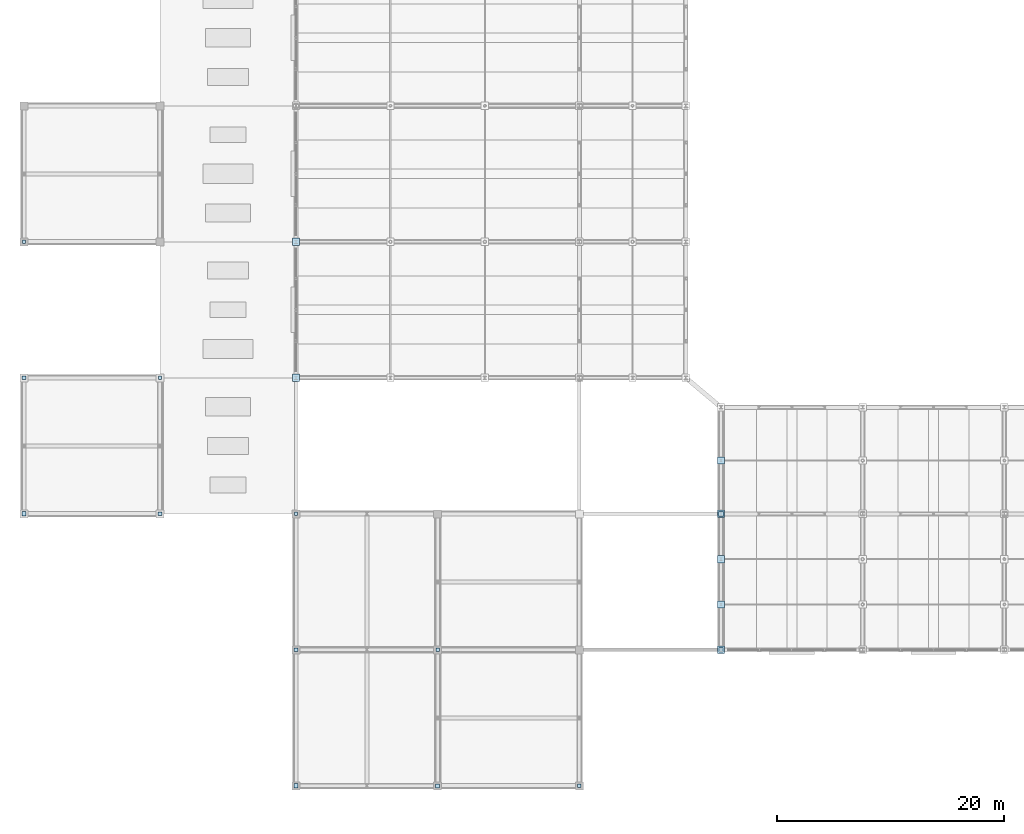
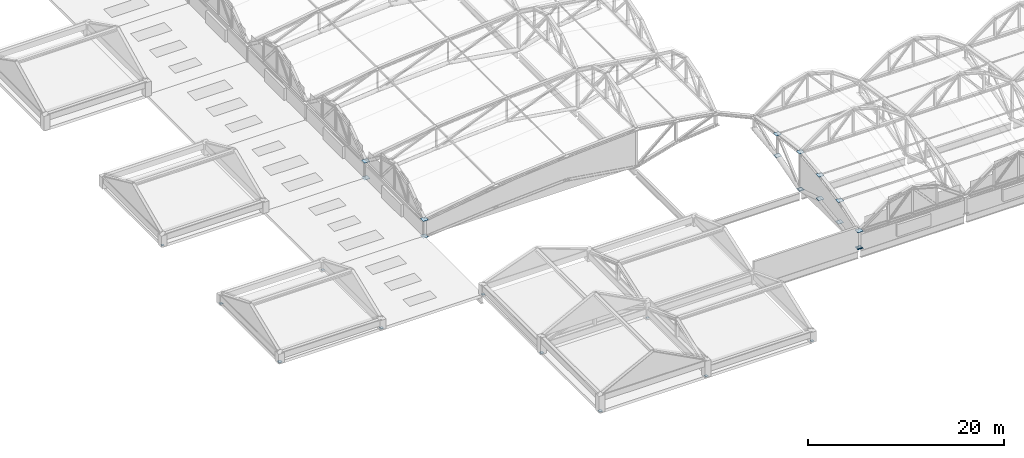
# One storey, part 98 of 117: 27 plates.
"""IFC4 building model written with IfcOpenShell, lengths in metres."""

from ifc_helpers import new_model, si_unit, direction, frame, origin, origin_2d, place, context, subcontext, project, spatial, rectangle, extrude, material, layer, layer_set, type_object, element, save


model = new_model("IFC4")

# Units and contexts
model_context = context("Model", 3, precision=1e-05, world=origin(), true_north=direction((0.0, 1.0)))
body_context = subcontext(model_context, "Body", "Model", "MODEL_VIEW")
ifc_project = project(units=[si_unit("LENGTHUNIT", "METRE"), si_unit("AREAUNIT", "SQUARE_METRE"), si_unit("VOLUMEUNIT", "CUBIC_METRE"), si_unit("PLANEANGLEUNIT", "RADIAN"), si_unit("MASSUNIT", "GRAM", prefix="KILO")], contexts=[model_context])

# Site, building, storey
site_placement = place(None, origin())
site = spatial("IfcSite", under=ifc_project, at=site_placement, CompositionType="ELEMENT")
building_placement = place(site_placement, origin())
building = spatial("IfcBuilding", under=site, at=building_placement, Name="Kazenohara Klinker Stadium", CompositionType="ELEMENT")
storey_placement = place(building_placement, frame((0.0, 0.0, 31.199951171875)))
storey = spatial("IfcBuildingStorey", under=building, at=storey_placement, Name="RF", CompositionType="ELEMENT", Elevation=31.199951171875)

# Plates
ifc_material = material(Name="Steel S355", Category="steel")
ifc_layer_1 = layer(ifc_material, 0.02001953125)
ifc_layer_set_1 = layer_set([ifc_layer_1], Name="Steel S355")
plate_type_1 = type_object("IfcPlateType", Name="PLT-GP01", PredefinedType="USERDEFINED", material=ifc_layer_set_1)
plate_1_placement = place(storey_placement, frame((36.5, 24.0, -0.010009765625), z_axis=(0.0, 0.0, 1.0), x_axis=(1.0, 0.0, 0.0)))
element("IfcPlate", 1, at=plate_1_placement, inside=storey, type_object=plate_type_1, Name="Hollow column end-cap plate GP01 RF 4/C", ObjectType="GUSSET PLATE", PredefinedType="USERDEFINED", context=body_context, shape_type="SweptSolid", body=[
    extrude(rectangle(XDim=0.2900390625, YDim=0.2900390625, at=origin_2d()), origin(), (0.0, 0.0, 1.0), 0.02001953125),
])
plate_2_placement = place(storey_placement, frame((61.5, 24.0, -0.010009765625), z_axis=(0.0, 0.0, 1.0), x_axis=(1.0, 0.0, 0.0)))
element("IfcPlate", 2, at=plate_2_placement, inside=storey, type_object=plate_type_1, Name="Hollow column end-cap plate GP01 RF 6/C", ObjectType="GUSSET PLATE", PredefinedType="USERDEFINED", context=body_context, shape_type="SweptSolid", body=[
    extrude(rectangle(XDim=0.389892578125, YDim=0.389892578125, at=origin_2d()), origin(), (0.0, 0.0, 1.0), 0.02001953125),
])
for number, where, z_axis, x_axis, name in (
    (3, (24.0, 48.0, -0.030029296875), (0.0, 0.0, 1.0), (1.0, 0.0, 0.0), "ROOF TRUSS RT-W01 node gusset plate BN1"),
    (4, (24.0, 48.0, 2.090087890625), (0.0, 0.0, 1.0), (1.0, 0.0, 0.0), "ROOF TRUSS RT-W01 node gusset plate TN1"),
    (5, (61.5, 36.0, -0.030029296875), (0.0, 0.0, 1.0), (1.0, 0.0, 0.0), "ROOF TRUSS RT-S01 node gusset plate BN4"),
    (6, (61.5, 36.0, 4.64013671875), (0.0, 0.0, 1.0), (1.0, 0.0, 0.0), "ROOF TRUSS RT-S01 node gusset plate TN4"),
):
    element("IfcPlate", number, at=place(storey_placement, frame(where, z_axis=z_axis, x_axis=x_axis)), inside=storey, type_object=plate_type_1, Name=name, ObjectType="GUSSET PLATE", PredefinedType="USERDEFINED", context=body_context, shape_type="SweptSolid", body=[
        extrude(rectangle(XDim=0.639892578125, YDim=0.639892578125, at=origin_2d()), origin(), (0.0, 0.0, 1.0), 0.02001953125),
    ])
ifc_layer_2 = layer(ifc_material, 0.02197265625)
ifc_layer_set_2 = layer_set([ifc_layer_2], Name="Steel S355")
plate_type_2 = type_object("IfcPlateType", Name="PLT-GP02", PredefinedType="USERDEFINED", material=ifc_layer_set_2)
for number, where, z_axis, x_axis, name in (
    (7, (0.0, 60.0, -0.010986328125), (0.0, 0.0, 1.0), (1.0, 0.0, 0.0), "Hollow column end-cap plate GP02 RF 1/F"),
    (8, (12.0, 48.0, -0.010986328125), (0.0, 0.0, 1.0), (1.0, 0.0, 0.0), "Hollow column end-cap plate GP02 RF 2/E"),
    (9, (24.0, 36.0, -0.010986328125), (0.0, 0.0, 1.0), (1.0, 0.0, 0.0), "Hollow column end-cap plate GP02 RF 3/D"),
):
    element("IfcPlate", number, at=place(storey_placement, frame(where, z_axis=z_axis, x_axis=x_axis)), inside=storey, type_object=plate_type_2, Name=name, ObjectType="GUSSET PLATE", PredefinedType="USERDEFINED", context=body_context, shape_type="SweptSolid", body=[
        extrude(rectangle(XDim=0.2900390625, YDim=0.2900390625, at=origin_2d()), origin(), (0.0, 0.0, 1.0), 0.02197265625),
    ])
plate_3_placement = place(storey_placement, frame((36.5, 12.0, -0.010986328125), z_axis=(0.0, 0.0, 1.0), x_axis=(1.0, 0.0, 0.0)))
element("IfcPlate", 10, at=plate_3_placement, inside=storey, type_object=plate_type_2, Name="Hollow column end-cap plate GP02 RF 4/B", ObjectType="GUSSET PLATE", PredefinedType="USERDEFINED", context=body_context, shape_type="SweptSolid", body=[
    extrude(rectangle(XDim=0.340087890625, YDim=0.340087890625, at=origin_2d()), origin(), (0.0, 0.0, 1.0), 0.02197265625),
])
plate_4_placement = place(storey_placement, frame((49.0, 12.0, -0.010986328125), z_axis=(0.0, 0.0, 1.0), x_axis=(1.0, 0.0, 0.0)))
element("IfcPlate", 11, at=plate_4_placement, inside=storey, type_object=plate_type_2, Name="Hollow column end-cap plate GP02 RF 5/B", ObjectType="GUSSET PLATE", PredefinedType="USERDEFINED", context=body_context, shape_type="SweptSolid", body=[
    extrude(rectangle(XDim=0.2900390625, YDim=0.2900390625, at=origin_2d()), origin(), (0.0, 0.0, 1.0), 0.02197265625),
])
for number, where, z_axis, x_axis, name in (
    (12, (61.5, 40.699951171875, 1.339111328125), (0.0, 0.0, 1.0), (1.0, 0.0, 0.0), "ROOF TRUSS RT-S01 node gusset plate BN5"),
    (13, (61.5, 40.699951171875, 4.0390625), (0.0, 0.0, 1.0), (1.0, 0.0, 0.0), "ROOF TRUSS RT-S01 node gusset plate TN5"),
    (14, (24.0, 60.0, -0.031005859375), (0.0, 0.0, 1.0), (1.0, 0.0, 0.0), "ROOF TRUSS RT-W02 node gusset plate BN1"),
    (15, (24.0, 60.0, 2.089111328125), (0.0, 0.0, 1.0), (1.0, 0.0, 0.0), "ROOF TRUSS RT-W02 node gusset plate TN1"),
):
    element("IfcPlate", number, at=place(storey_placement, frame(where, z_axis=z_axis, x_axis=x_axis)), inside=storey, type_object=plate_type_2, Name=name, ObjectType="GUSSET PLATE", PredefinedType="USERDEFINED", context=body_context, shape_type="SweptSolid", body=[
        extrude(rectangle(XDim=0.639892578125, YDim=0.639892578125, at=origin_2d()), origin(), (0.0, 0.0, 1.0), 0.02197265625),
    ])
ifc_layer_3 = layer(ifc_material, 0.02392578125)
ifc_layer_set_3 = layer_set([ifc_layer_3], Name="Steel S355")
plate_type_3 = type_object("IfcPlateType", Name="PLT-GP03", PredefinedType="USERDEFINED", material=ifc_layer_set_3)
for number, where, z_axis, x_axis, name in (
    (16, (0.0, 48.0, -0.011962890625), (0.0, 0.0, 1.0), (1.0, 0.0, 0.0), "Hollow column end-cap plate GP03 RF 1/E"),
    (17, (12.0, 36.0, -0.011962890625), (0.0, 0.0, 1.0), (1.0, 0.0, 0.0), "Hollow column end-cap plate GP03 RF 2/D"),
    (18, (24.0, 24.0, -0.011962890625), (0.0, 0.0, 1.0), (1.0, 0.0, 0.0), "Hollow column end-cap plate GP03 RF 3/C"),
):
    element("IfcPlate", number, at=place(storey_placement, frame(where, z_axis=z_axis, x_axis=x_axis)), inside=storey, type_object=plate_type_3, Name=name, ObjectType="GUSSET PLATE", PredefinedType="USERDEFINED", context=body_context, shape_type="SweptSolid", body=[
        extrude(rectangle(XDim=0.340087890625, YDim=0.340087890625, at=origin_2d()), origin(), (0.0, 0.0, 1.0), 0.02392578125),
    ])
ifc_layer_4 = layer(ifc_material, 0.02490234375)
ifc_layer_set_4 = layer_set([ifc_layer_4], Name="Steel S355")
plate_type_4 = type_object("IfcPlateType", Name="PLT-GP04", PredefinedType="USERDEFINED", material=ifc_layer_set_4)
for number, where, z_axis, x_axis, name in (
    (19, (0.0, 36.0, -0.012451171875), (0.0, 0.0, 1.0), (1.0, 0.0, 0.0), "Hollow column end-cap plate GP04 RF 1/D"),
    (20, (24.0, 12.0, -0.012451171875), (0.0, 0.0, 1.0), (1.0, 0.0, 0.0), "Hollow column end-cap plate GP04 RF 3/B"),
):
    element("IfcPlate", number, at=place(storey_placement, frame(where, z_axis=z_axis, x_axis=x_axis)), inside=storey, type_object=plate_type_4, Name=name, ObjectType="GUSSET PLATE", PredefinedType="USERDEFINED", context=body_context, shape_type="SweptSolid", body=[
        extrude(rectangle(XDim=0.389892578125, YDim=0.389892578125, at=origin_2d()), origin(), (0.0, 0.0, 1.0), 0.02490234375),
    ])
plate_5_placement = place(storey_placement, frame((61.5, 36.0, -0.012451171875), z_axis=(0.0, 0.0, 1.0), x_axis=(1.0, 0.0, 0.0)))
element("IfcPlate", 21, at=plate_5_placement, inside=storey, type_object=plate_type_4, Name="Hollow column end-cap plate GP04 RF 6/D", ObjectType="GUSSET PLATE", PredefinedType="USERDEFINED", context=body_context, shape_type="SweptSolid", body=[
    extrude(rectangle(XDim=0.43994140625, YDim=0.43994140625, at=origin_2d()), origin(), (0.0, 0.0, 1.0), 0.02490234375),
])
for number, where, z_axis, x_axis, name in (
    (22, (61.5, 24.0, -0.032470703125), (0.0, 0.0, 1.0), (1.0, 0.0, 0.0), "ROOF TRUSS RT-S01 node gusset plate BN1"),
    (23, (61.5, 24.0, 2.087646484375), (0.0, 0.0, 1.0), (1.0, 0.0, 0.0), "ROOF TRUSS RT-S01 node gusset plate TN1"),
):
    element("IfcPlate", number, at=place(storey_placement, frame(where, z_axis=z_axis, x_axis=x_axis)), inside=storey, type_object=plate_type_4, Name=name, ObjectType="GUSSET PLATE", PredefinedType="USERDEFINED", context=body_context, shape_type="SweptSolid", body=[
        extrude(rectangle(XDim=0.639892578125, YDim=0.639892578125, at=origin_2d()), origin(), (0.0, 0.0, 1.0), 0.02490234375),
    ])
ifc_layer_5 = layer(ifc_material, 0.02587890625)
ifc_layer_set_5 = layer_set([ifc_layer_5], Name="Steel S355")
plate_type_5 = type_object("IfcPlateType", Name="PLT-GP05", PredefinedType="USERDEFINED", material=ifc_layer_set_5)
for number, where, z_axis, x_axis, name in (
    (24, (61.5, 28.0, 0.737060546875), (0.0, 0.0, 1.0), (1.0, 0.0, 0.0), "ROOF TRUSS RT-S01 node gusset plate BN2"),
    (25, (61.5, 28.0, 3.43701171875), (0.0, 0.0, 1.0), (1.0, 0.0, 0.0), "ROOF TRUSS RT-S01 node gusset plate TN2"),
):
    element("IfcPlate", number, at=place(storey_placement, frame(where, z_axis=z_axis, x_axis=x_axis)), inside=storey, type_object=plate_type_5, Name=name, ObjectType="GUSSET PLATE", PredefinedType="USERDEFINED", context=body_context, shape_type="SweptSolid", body=[
        extrude(rectangle(XDim=0.639892578125, YDim=0.639892578125, at=origin_2d()), origin(), (0.0, 0.0, 1.0), 0.02587890625),
    ])
ifc_layer_6 = layer(ifc_material, 0.028076171875)
ifc_layer_set_6 = layer_set([ifc_layer_6], Name="Steel S355")
plate_type_6 = type_object("IfcPlateType", Name="PLT-GP06", PredefinedType="USERDEFINED", material=ifc_layer_set_6)
for number, where, z_axis, x_axis, name in (
    (26, (61.5, 32.0, 1.23583984375), (0.0, 0.0, 1.0), (1.0, 0.0, 0.0), "ROOF TRUSS RT-S01 node gusset plate BN3"),
    (27, (61.5, 32.0, 4.18603515625), (0.0, 0.0, 1.0), (1.0, 0.0, 0.0), "ROOF TRUSS RT-S01 node gusset plate TN3"),
):
    element("IfcPlate", number, at=place(storey_placement, frame(where, z_axis=z_axis, x_axis=x_axis)), inside=storey, type_object=plate_type_6, Name=name, ObjectType="GUSSET PLATE", PredefinedType="USERDEFINED", context=body_context, shape_type="SweptSolid", body=[
        extrude(rectangle(XDim=0.639892578125, YDim=0.639892578125, at=origin_2d()), origin(), (0.0, 0.0, 1.0), 0.028076171875),
    ])

save(model, "model.ifc")
